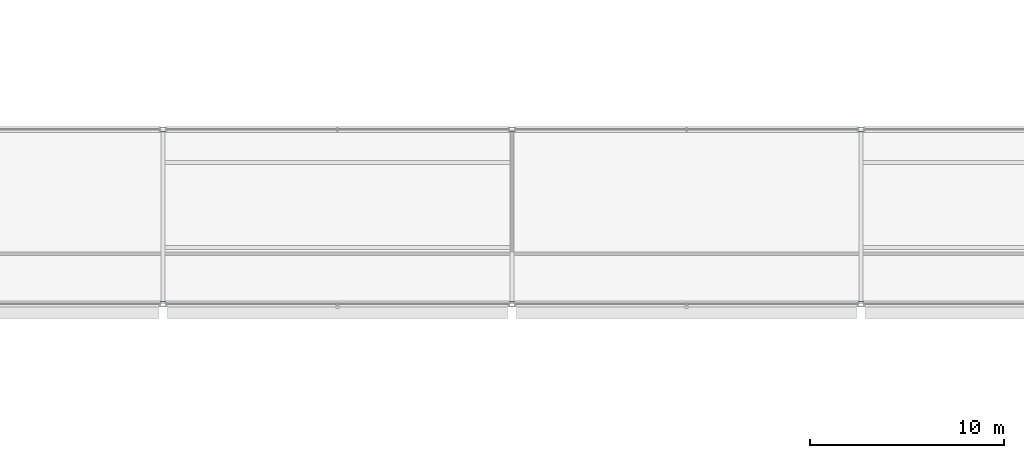
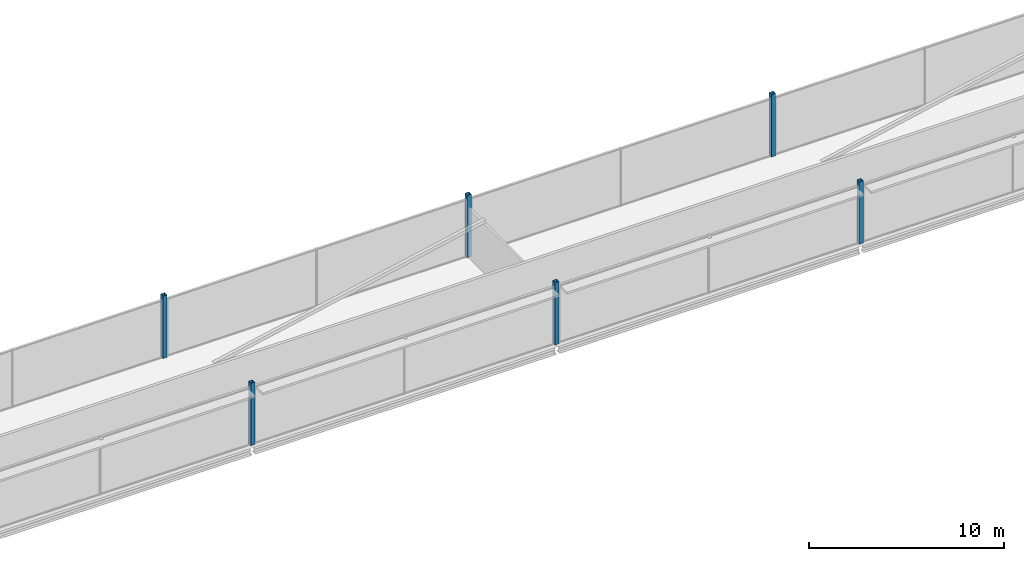
# One storey, part 4 of 98: 6 columns.
"""IFC4 building model written with IfcOpenShell, lengths in metres."""

from ifc_helpers import new_model, si_unit, direction, frame, origin, origin_2d, place, context, subcontext, project, spatial, hollow_rectangle, extrude, material, material_profile, profile_set, type_object, element, save


model = new_model("IFC4")

# Units and contexts
model_context = context("Model", 3, precision=1e-05, world=origin(), true_north=direction((0.0, 1.0)))
body_context = subcontext(model_context, "Body", "Model", "MODEL_VIEW")
ifc_project = project(units=[si_unit("LENGTHUNIT", "METRE"), si_unit("AREAUNIT", "SQUARE_METRE"), si_unit("VOLUMEUNIT", "CUBIC_METRE"), si_unit("PLANEANGLEUNIT", "RADIAN"), si_unit("MASSUNIT", "GRAM", prefix="KILO")], contexts=[model_context])

# Site, building, storey
site_placement = place(None, origin())
site = spatial("IfcSite", under=ifc_project, at=site_placement, CompositionType="ELEMENT")
building_placement = place(site_placement, origin())
building = spatial("IfcBuilding", under=site, at=building_placement, Name="Kisiwana Market Hall", CompositionType="ELEMENT")
storey_placement = place(building_placement, frame((0.0, 0.0, 29.39990234375)))
storey = spatial("IfcBuildingStorey", under=building, at=storey_placement, Name="L06", CompositionType="ELEMENT", Elevation=29.39990234375)

# Columns
ifc_material = material(Name="Steel S355", Category="steel")
ifc_material_profile = material_profile(ifc_material, hollow_rectangle(XDim=0.25, YDim=0.25, WallThickness=0.012451171875, at=origin_2d()), Name="SHS 250x250x12.5")
ifc_profile_set = profile_set([ifc_material_profile], Name="Steel S355")
column_type = type_object("IfcColumnType", Name="COL-STL-SHS250", PredefinedType="COLUMN", material=ifc_profile_set)
for number, where, z_axis, x_axis, name in (
    (1, (81.0, 18.0, 0.0), (0.0, 0.0, 1.0), (1.0, 0.0, 0.0), "Column C/10 (L06) C-1015"),
    (2, (81.0, 27.0, 0.0), (0.0, 0.0, 1.0), (1.0, 0.0, 0.0), "Column D/10 (L06) C-1016"),
    (3, (99.0, 18.0, 0.0), (0.0, 0.0, 1.0), (1.0, 0.0, 0.0), "Column C/12 (L06) C-1019"),
    (4, (99.0, 27.0, 0.0), (0.0, 0.0, 1.0), (1.0, 0.0, 0.0), "Column D/12 (L06) C-1020"),
    (5, (117.0, 18.0, 0.0), (0.0, 0.0, 1.0), (1.0, 0.0, 0.0), "Column C/14 (L06) C-1023"),
    (6, (117.0, 27.0, 0.0), (0.0, 0.0, 1.0), (1.0, 0.0, 0.0), "Column D/14 (L06) C-1024"),
):
    element("IfcColumn", number, at=place(storey_placement, frame(where, z_axis=z_axis, x_axis=x_axis)), inside=storey, type_object=column_type, Name=name, PredefinedType="COLUMN", context=body_context, shape_type="SweptSolid", body=[
        extrude(hollow_rectangle(XDim=0.25, YDim=0.25, WallThickness=0.012451171875, at=origin_2d()), origin(), (0.0, 0.0, 1.0), 3.900146484375),
    ])

save(model, "model.ifc")
